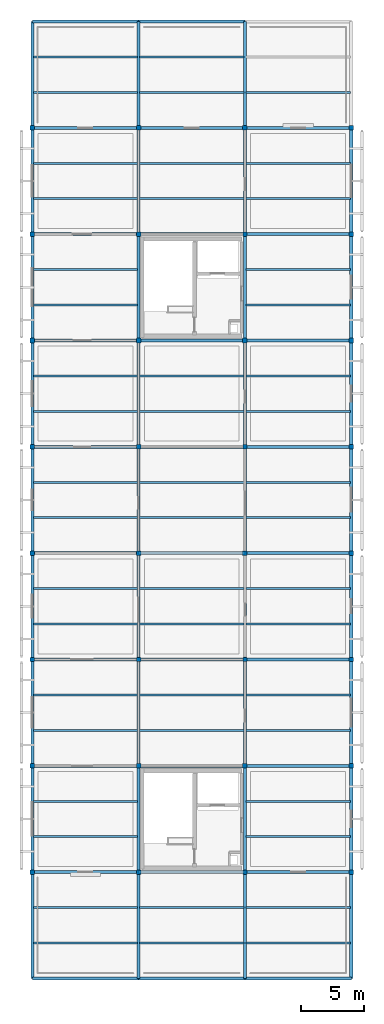
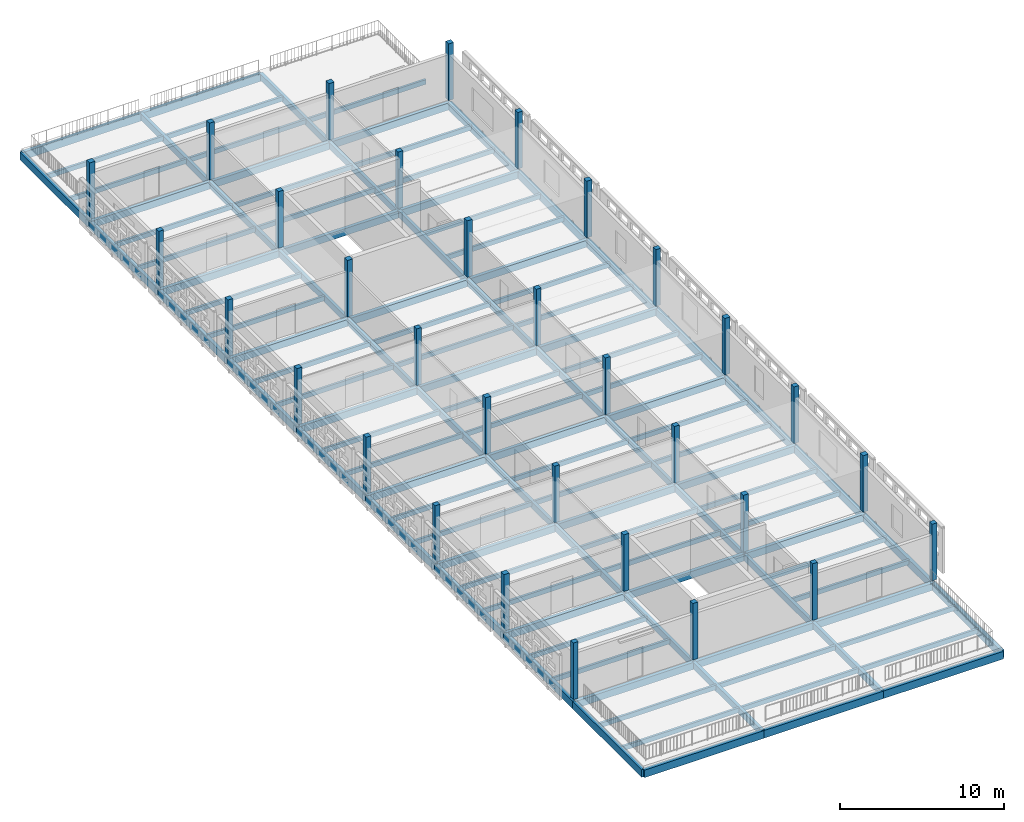
# One storey, part 1 of 13: 113 beams, 32 columns.
"""IFC4 building model written with IfcOpenShell, lengths in metres."""

from ifc_helpers import new_model, si_unit, direction, frame, origin, origin_2d, place, context, subcontext, project, spatial, rectangle, extrude, material, material_profile, profile_set, type_object, element, save


model = new_model("IFC4")

# Units and contexts
model_context = context("Model", 3, precision=1e-05, world=origin(), true_north=direction((0.0, 1.0)))
body_context = subcontext(model_context, "Body", "Model", "MODEL_VIEW")
ifc_project = project(units=[si_unit("LENGTHUNIT", "METRE"), si_unit("AREAUNIT", "SQUARE_METRE"), si_unit("VOLUMEUNIT", "CUBIC_METRE"), si_unit("PLANEANGLEUNIT", "RADIAN"), si_unit("MASSUNIT", "GRAM", prefix="KILO")], contexts=[model_context])

# Site, building, storey
site_placement = place(None, origin())
site = spatial("IfcSite", under=ifc_project, at=site_placement, CompositionType="ELEMENT")
building_placement = place(site_placement, origin())
building = spatial("IfcBuilding", under=site, at=building_placement, Name="Varnapada Polytechnic", CompositionType="ELEMENT")
storey_placement = place(building_placement, frame((0.0, 0.0, 26.39990234375)))
storey = spatial("IfcBuildingStorey", under=building, at=storey_placement, Name="L06", CompositionType="ELEMENT", Elevation=26.39990234375)

# Columns
ifc_material = material(Name="Glulam GL32h", Category="wood")
ifc_material_profile_1 = material_profile(ifc_material, rectangle(XDim=0.360107421875, YDim=0.360107421875, at=origin_2d()), Name="GL 360x360")
ifc_profile_set_1 = profile_set([ifc_material_profile_1], Name="Glulam GL32h")
column_type_1 = type_object("IfcColumnType", Name="Column C-14 (GL 360x360)", PredefinedType="COLUMN", material=ifc_profile_set_1)
for number, where, z_axis, x_axis, name in (
    (1, (0.0, 67.199951171875, 0.0), (0.0, 0.0, 1.0), (1.0, 0.0, 0.0), "L06 column 1/9"),
    (2, (0.0, 84.0, 0.0), (0.0, 0.0, 1.0), (1.0, 0.0, 0.0), "L06 column 1/11"),
    (3, (0.0, 100.800048828125, 0.0), (0.0, 0.0, 1.0), (1.0, 0.0, 0.0), "L06 column 1/13"),
    (4, (0.0, 117.60009765625, 0.0), (0.0, 0.0, 1.0), (1.0, 0.0, 0.0), "L06 column 1/15"),
    (5, (8.39990234375, 67.199951171875, 0.0), (0.0, 0.0, 1.0), (1.0, 0.0, 0.0), "L06 column 2/9"),
    (6, (8.39990234375, 84.0, 0.0), (0.0, 0.0, 1.0), (1.0, 0.0, 0.0), "L06 column 2/11"),
    (7, (8.39990234375, 100.800048828125, 0.0), (0.0, 0.0, 1.0), (1.0, 0.0, 0.0), "L06 column 2/13"),
    (8, (8.39990234375, 117.60009765625, 0.0), (0.0, 0.0, 1.0), (1.0, 0.0, 0.0), "L06 column 2/15"),
    (9, (16.800048828125, 67.199951171875, 0.0), (0.0, 0.0, 1.0), (1.0, 0.0, 0.0), "L06 column 3/9"),
    (10, (16.800048828125, 84.0, 0.0), (0.0, 0.0, 1.0), (1.0, 0.0, 0.0), "L06 column 3/11"),
    (11, (16.800048828125, 100.800048828125, 0.0), (0.0, 0.0, 1.0), (1.0, 0.0, 0.0), "L06 column 3/13"),
    (12, (16.800048828125, 117.60009765625, 0.0), (0.0, 0.0, 1.0), (1.0, 0.0, 0.0), "L06 column 3/15"),
    (13, (25.199951171875, 67.199951171875, 0.0), (0.0, 0.0, 1.0), (1.0, 0.0, 0.0), "L06 column 4/9"),
    (14, (25.199951171875, 84.0, 0.0), (0.0, 0.0, 1.0), (1.0, 0.0, 0.0), "L06 column 4/11"),
    (15, (25.199951171875, 100.800048828125, 0.0), (0.0, 0.0, 1.0), (1.0, 0.0, 0.0), "L06 column 4/13"),
    (16, (25.199951171875, 117.60009765625, 0.0), (0.0, 0.0, 1.0), (1.0, 0.0, 0.0), "L06 column 4/15"),
):
    element("IfcColumn", number, at=place(storey_placement, frame(where, z_axis=z_axis, x_axis=x_axis)), inside=storey, type_object=column_type_1, Name=name, PredefinedType="COLUMN", context=body_context, shape_type="SweptSolid", body=[
        extrude(rectangle(XDim=0.360107421875, YDim=0.360107421875, at=origin_2d()), origin(), (0.0, 0.0, 1.0), 4.2001953125),
    ])
ifc_material_profile_2 = material_profile(ifc_material, rectangle(XDim=0.340087890625, YDim=0.340087890625, at=origin_2d()), Name="GL 340x340")
ifc_profile_set_2 = profile_set([ifc_material_profile_2], Name="Glulam GL32h")
column_type_2 = type_object("IfcColumnType", Name="Column C-27 (GL 340x340)", PredefinedType="COLUMN", material=ifc_profile_set_2)
for number, where, z_axis, x_axis, name in (
    (17, (0.0, 58.800048828125, 0.0), (0.0, 0.0, 1.0), (1.0, 0.0, 0.0), "L06 column 1/8"),
    (18, (0.0, 75.60009765625, 0.0), (0.0, 0.0, 1.0), (1.0, 0.0, 0.0), "L06 column 1/10"),
    (19, (0.0, 92.39990234375, 0.0), (0.0, 0.0, 1.0), (1.0, 0.0, 0.0), "L06 column 1/12"),
    (20, (0.0, 109.199951171875, 0.0), (0.0, 0.0, 1.0), (1.0, 0.0, 0.0), "L06 column 1/14"),
    (21, (8.39990234375, 58.800048828125, 0.0), (0.0, 0.0, 1.0), (1.0, 0.0, 0.0), "L06 column 2/8"),
    (22, (8.39990234375, 75.60009765625, 0.0), (0.0, 0.0, 1.0), (1.0, 0.0, 0.0), "L06 column 2/10"),
    (23, (8.39990234375, 92.39990234375, 0.0), (0.0, 0.0, 1.0), (1.0, 0.0, 0.0), "L06 column 2/12"),
    (24, (8.39990234375, 109.199951171875, 0.0), (0.0, 0.0, 1.0), (1.0, 0.0, 0.0), "L06 column 2/14"),
    (25, (16.800048828125, 58.800048828125, 0.0), (0.0, 0.0, 1.0), (1.0, 0.0, 0.0), "L06 column 3/8"),
    (26, (16.800048828125, 75.60009765625, 0.0), (0.0, 0.0, 1.0), (1.0, 0.0, 0.0), "L06 column 3/10"),
    (27, (16.800048828125, 92.39990234375, 0.0), (0.0, 0.0, 1.0), (1.0, 0.0, 0.0), "L06 column 3/12"),
    (28, (16.800048828125, 109.199951171875, 0.0), (0.0, 0.0, 1.0), (1.0, 0.0, 0.0), "L06 column 3/14"),
    (29, (25.199951171875, 58.800048828125, 0.0), (0.0, 0.0, 1.0), (1.0, 0.0, 0.0), "L06 column 4/8"),
    (30, (25.199951171875, 75.60009765625, 0.0), (0.0, 0.0, 1.0), (1.0, 0.0, 0.0), "L06 column 4/10"),
    (31, (25.199951171875, 92.39990234375, 0.0), (0.0, 0.0, 1.0), (1.0, 0.0, 0.0), "L06 column 4/12"),
    (32, (25.199951171875, 109.199951171875, 0.0), (0.0, 0.0, 1.0), (1.0, 0.0, 0.0), "L06 column 4/14"),
):
    element("IfcColumn", number, at=place(storey_placement, frame(where, z_axis=z_axis, x_axis=x_axis)), inside=storey, type_object=column_type_2, Name=name, PredefinedType="COLUMN", context=body_context, shape_type="SweptSolid", body=[
        extrude(rectangle(XDim=0.340087890625, YDim=0.340087890625, at=origin_2d()), origin(), (0.0, 0.0, 1.0), 4.2001953125),
    ])

# Beams
ifc_material_profile_3 = material_profile(ifc_material, rectangle(XDim=0.239990234375, YDim=0.56005859375, at=origin_2d()), Name="GL 240x560")
ifc_profile_set_3 = profile_set([ifc_material_profile_3], Name="Glulam GL32h")
beam_type_1 = type_object("IfcBeamType", Name="Perimeter glulam spandrel beam SP-02 (GL 240x560)", PredefinedType="SPANDREL", material=ifc_profile_set_3)
for number, where, z_axis, x_axis, name in (
    (33, (0.0, 50.39990234375, -0.510009765625), (1.0, 0.0, 0.0), (0.0, 1.0, 0.0), "L06 beam X 1-2 at Y7"),
    (34, (0.0, 126.0, -0.510009765625), (1.0, 0.0, 0.0), (0.0, 1.0, 0.0), "L06 beam X 1-2 at Y16"),
):
    element("IfcBeam", number, at=place(storey_placement, frame(where, z_axis=z_axis, x_axis=x_axis)), inside=storey, type_object=beam_type_1, Name=name, PredefinedType="SPANDREL", context=body_context, shape_type="SweptSolid", body=[
        extrude(rectangle(XDim=0.239990234375, YDim=0.56005859375, at=origin_2d()), origin(), (0.0, 0.0, 1.0), 8.39990234375),
    ])
for number, where, z_axis, x_axis, name in (
    (35, (8.39990234375, 50.39990234375, -0.510009765625), (1.0, 0.0, 0.0), (0.0, 1.0, 0.0), "L06 beam X 2-3 at Y7"),
    (36, (8.39990234375, 126.0, -0.510009765625), (1.0, 0.0, 0.0), (0.0, 1.0, 0.0), "L06 beam X 2-3 at Y16"),
):
    element("IfcBeam", number, at=place(storey_placement, frame(where, z_axis=z_axis, x_axis=x_axis)), inside=storey, type_object=beam_type_1, Name=name, PredefinedType="SPANDREL", context=body_context, shape_type="SweptSolid", body=[
        extrude(rectangle(XDim=0.239990234375, YDim=0.56005859375, at=origin_2d()), origin(), (0.0, 0.0, 1.0), 8.400146484375),
    ])
beam_1_placement = place(storey_placement, frame((16.800048828125, 50.39990234375, -0.510009765625), z_axis=(1.0, 0.0, 0.0), x_axis=(0.0, 1.0, 0.0)))
element("IfcBeam", 37, at=beam_1_placement, inside=storey, type_object=beam_type_1, Name="L06 beam X 3-4 at Y7", PredefinedType="SPANDREL", context=body_context, shape_type="SweptSolid", body=[
    extrude(rectangle(XDim=0.239990234375, YDim=0.56005859375, at=origin_2d()), origin(), (0.0, 0.0, 1.0), 8.39990234375),
])
beam_2_placement = place(storey_placement, frame((0.0, 50.39990234375, -0.510009765625), z_axis=(0.0, 1.0, 0.0), x_axis=(-1.0, 0.0, 0.0)))
element("IfcBeam", 38, at=beam_2_placement, inside=storey, type_object=beam_type_1, Name="L06 beam Y 7-8 at X1", PredefinedType="SPANDREL", context=body_context, shape_type="SweptSolid", body=[
    extrude(rectangle(XDim=0.239990234375, YDim=0.56005859375, at=origin_2d()), origin(), (0.0, 0.0, 1.0), 8.400146484375),
])
beam_3_placement = place(storey_placement, frame((0.0, 58.800048828125, -0.510009765625), z_axis=(0.0, 1.0, 0.0), x_axis=(-1.0, 0.0, 0.0)))
element("IfcBeam", 39, at=beam_3_placement, inside=storey, type_object=beam_type_1, Name="L06 beam Y 8-9 at X1", PredefinedType="SPANDREL", context=body_context, shape_type="SweptSolid", body=[
    extrude(rectangle(XDim=0.239990234375, YDim=0.56005859375, at=origin_2d()), origin(), (0.0, 0.0, 1.0), 8.39990234375),
])
beam_4_placement = place(storey_placement, frame((0.0, 67.199951171875, -0.5), z_axis=(0.0, 1.0, 0.0), x_axis=(-1.0, 0.0, 0.0)))
element("IfcBeam", 40, at=beam_4_placement, inside=storey, type_object=beam_type_1, Name="L06 beam Y 9-10 at X1", PredefinedType="SPANDREL", context=body_context, shape_type="SweptSolid", body=[
    extrude(rectangle(XDim=0.239990234375, YDim=0.56005859375, at=origin_2d()), origin(), (0.0, 0.0, 1.0), 8.400146484375),
])
for number, where, z_axis, x_axis, name in (
    (41, (0.0, 75.60009765625, -0.5), (0.0, 1.0, 0.0), (-1.0, 0.0, 0.0), "L06 beam Y 10-11 at X1"),
    (42, (0.0, 84.0, -0.5), (0.0, 1.0, 0.0), (-1.0, 0.0, 0.0), "L06 beam Y 11-12 at X1"),
):
    element("IfcBeam", number, at=place(storey_placement, frame(where, z_axis=z_axis, x_axis=x_axis)), inside=storey, type_object=beam_type_1, Name=name, PredefinedType="SPANDREL", context=body_context, shape_type="SweptSolid", body=[
        extrude(rectangle(XDim=0.239990234375, YDim=0.56005859375, at=origin_2d()), origin(), (0.0, 0.0, 1.0), 8.39990234375),
    ])
beam_5_placement = place(storey_placement, frame((0.0, 92.39990234375, -0.5), z_axis=(0.0, 1.0, 0.0), x_axis=(-1.0, 0.0, 0.0)))
element("IfcBeam", 43, at=beam_5_placement, inside=storey, type_object=beam_type_1, Name="L06 beam Y 12-13 at X1", PredefinedType="SPANDREL", context=body_context, shape_type="SweptSolid", body=[
    extrude(rectangle(XDim=0.239990234375, YDim=0.56005859375, at=origin_2d()), origin(), (0.0, 0.0, 1.0), 8.400146484375),
])
beam_6_placement = place(storey_placement, frame((0.0, 100.800048828125, -0.5), z_axis=(0.0, 1.0, 0.0), x_axis=(-1.0, 0.0, 0.0)))
element("IfcBeam", 44, at=beam_6_placement, inside=storey, type_object=beam_type_1, Name="L06 beam Y 13-14 at X1", PredefinedType="SPANDREL", context=body_context, shape_type="SweptSolid", body=[
    extrude(rectangle(XDim=0.239990234375, YDim=0.56005859375, at=origin_2d()), origin(), (0.0, 0.0, 1.0), 8.39990234375),
])
beam_7_placement = place(storey_placement, frame((0.0, 109.199951171875, -0.510009765625), z_axis=(0.0, 1.0, 0.0), x_axis=(-1.0, 0.0, 0.0)))
element("IfcBeam", 45, at=beam_7_placement, inside=storey, type_object=beam_type_1, Name="L06 beam Y 14-15 at X1", PredefinedType="SPANDREL", context=body_context, shape_type="SweptSolid", body=[
    extrude(rectangle(XDim=0.239990234375, YDim=0.56005859375, at=origin_2d()), origin(), (0.0, 0.0, 1.0), 8.400146484375),
])
beam_8_placement = place(storey_placement, frame((0.0, 117.60009765625, -0.510009765625), z_axis=(0.0, 1.0, 0.0), x_axis=(-1.0, 0.0, 0.0)))
element("IfcBeam", 46, at=beam_8_placement, inside=storey, type_object=beam_type_1, Name="L06 beam Y 15-16 at X1", PredefinedType="SPANDREL", context=body_context, shape_type="SweptSolid", body=[
    extrude(rectangle(XDim=0.239990234375, YDim=0.56005859375, at=origin_2d()), origin(), (0.0, 0.0, 1.0), 8.39990234375),
])
beam_9_placement = place(storey_placement, frame((25.199951171875, 50.39990234375, -0.510009765625), z_axis=(0.0, 1.0, 0.0), x_axis=(-1.0, 0.0, 0.0)))
element("IfcBeam", 47, at=beam_9_placement, inside=storey, type_object=beam_type_1, Name="L06 beam Y 7-8 at X4", PredefinedType="SPANDREL", context=body_context, shape_type="SweptSolid", body=[
    extrude(rectangle(XDim=0.239990234375, YDim=0.56005859375, at=origin_2d()), origin(), (0.0, 0.0, 1.0), 8.400146484375),
])
beam_10_placement = place(storey_placement, frame((25.199951171875, 58.800048828125, -0.510009765625), z_axis=(0.0, 1.0, 0.0), x_axis=(-1.0, 0.0, 0.0)))
element("IfcBeam", 48, at=beam_10_placement, inside=storey, type_object=beam_type_1, Name="L06 beam Y 8-9 at X4", PredefinedType="SPANDREL", context=body_context, shape_type="SweptSolid", body=[
    extrude(rectangle(XDim=0.239990234375, YDim=0.56005859375, at=origin_2d()), origin(), (0.0, 0.0, 1.0), 8.39990234375),
])
beam_11_placement = place(storey_placement, frame((25.199951171875, 67.199951171875, -0.5), z_axis=(0.0, 1.0, 0.0), x_axis=(-1.0, 0.0, 0.0)))
element("IfcBeam", 49, at=beam_11_placement, inside=storey, type_object=beam_type_1, Name="L06 beam Y 9-10 at X4", PredefinedType="SPANDREL", context=body_context, shape_type="SweptSolid", body=[
    extrude(rectangle(XDim=0.239990234375, YDim=0.56005859375, at=origin_2d()), origin(), (0.0, 0.0, 1.0), 8.400146484375),
])
for number, where, z_axis, x_axis, name in (
    (50, (25.199951171875, 75.60009765625, -0.5), (0.0, 1.0, 0.0), (-1.0, 0.0, 0.0), "L06 beam Y 10-11 at X4"),
    (51, (25.199951171875, 84.0, -0.5), (0.0, 1.0, 0.0), (-1.0, 0.0, 0.0), "L06 beam Y 11-12 at X4"),
):
    element("IfcBeam", number, at=place(storey_placement, frame(where, z_axis=z_axis, x_axis=x_axis)), inside=storey, type_object=beam_type_1, Name=name, PredefinedType="SPANDREL", context=body_context, shape_type="SweptSolid", body=[
        extrude(rectangle(XDim=0.239990234375, YDim=0.56005859375, at=origin_2d()), origin(), (0.0, 0.0, 1.0), 8.39990234375),
    ])
beam_12_placement = place(storey_placement, frame((25.199951171875, 92.39990234375, -0.5), z_axis=(0.0, 1.0, 0.0), x_axis=(-1.0, 0.0, 0.0)))
element("IfcBeam", 52, at=beam_12_placement, inside=storey, type_object=beam_type_1, Name="L06 beam Y 12-13 at X4", PredefinedType="SPANDREL", context=body_context, shape_type="SweptSolid", body=[
    extrude(rectangle(XDim=0.239990234375, YDim=0.56005859375, at=origin_2d()), origin(), (0.0, 0.0, 1.0), 8.400146484375),
])
beam_13_placement = place(storey_placement, frame((25.199951171875, 100.800048828125, -0.5), z_axis=(0.0, 1.0, 0.0), x_axis=(-1.0, 0.0, 0.0)))
element("IfcBeam", 53, at=beam_13_placement, inside=storey, type_object=beam_type_1, Name="L06 beam Y 13-14 at X4", PredefinedType="SPANDREL", context=body_context, shape_type="SweptSolid", body=[
    extrude(rectangle(XDim=0.239990234375, YDim=0.56005859375, at=origin_2d()), origin(), (0.0, 0.0, 1.0), 8.39990234375),
])
beam_14_placement = place(storey_placement, frame((25.199951171875, 109.199951171875, -0.510009765625), z_axis=(0.0, 1.0, 0.0), x_axis=(-1.0, 0.0, 0.0)))
element("IfcBeam", 54, at=beam_14_placement, inside=storey, type_object=beam_type_1, Name="L06 beam Y 14-15 at X4", PredefinedType="SPANDREL", context=body_context, shape_type="SweptSolid", body=[
    extrude(rectangle(XDim=0.239990234375, YDim=0.56005859375, at=origin_2d()), origin(), (0.0, 0.0, 1.0), 8.400146484375),
])
ifc_material_profile_4 = material_profile(ifc_material, rectangle(XDim=0.239990234375, YDim=0.52001953125, at=origin_2d()), Name="GL 240x520")
ifc_profile_set_4 = profile_set([ifc_material_profile_4], Name="Glulam GL32h")
beam_type_2 = type_object("IfcBeamType", Name="Top studio glulam girder GG-06 (GL 240x520)", PredefinedType="BEAM", material=ifc_profile_set_4)
for number, where, z_axis, x_axis, name in (
    (55, (0.0, 58.800048828125, -0.489990234375), (1.0, 0.0, 0.0), (0.0, 1.0, 0.0), "L06 beam X 1-2 at Y8"),
    (56, (0.0, 67.199951171875, -0.47998046875), (1.0, 0.0, 0.0), (0.0, 1.0, 0.0), "L06 beam X 1-2 at Y9"),
    (57, (0.0, 75.60009765625, -0.47998046875), (1.0, 0.0, 0.0), (0.0, 1.0, 0.0), "L06 beam X 1-2 at Y10"),
    (58, (0.0, 84.0, -0.47998046875), (1.0, 0.0, 0.0), (0.0, 1.0, 0.0), "L06 beam X 1-2 at Y11"),
    (59, (0.0, 92.39990234375, -0.47998046875), (1.0, 0.0, 0.0), (0.0, 1.0, 0.0), "L06 beam X 1-2 at Y12"),
    (60, (0.0, 100.800048828125, -0.47998046875), (1.0, 0.0, 0.0), (0.0, 1.0, 0.0), "L06 beam X 1-2 at Y13"),
    (61, (0.0, 109.199951171875, -0.47998046875), (1.0, 0.0, 0.0), (0.0, 1.0, 0.0), "L06 beam X 1-2 at Y14"),
    (62, (0.0, 117.60009765625, -0.489990234375), (1.0, 0.0, 0.0), (0.0, 1.0, 0.0), "L06 beam X 1-2 at Y15"),
):
    element("IfcBeam", number, at=place(storey_placement, frame(where, z_axis=z_axis, x_axis=x_axis)), inside=storey, type_object=beam_type_2, Name=name, PredefinedType="BEAM", context=body_context, shape_type="SweptSolid", body=[
        extrude(rectangle(XDim=0.239990234375, YDim=0.52001953125, at=origin_2d()), origin(), (0.0, 0.0, 1.0), 8.39990234375),
    ])
for number, where, z_axis, x_axis, name in (
    (63, (8.39990234375, 58.800048828125, -0.489990234375), (1.0, 0.0, 0.0), (0.0, 1.0, 0.0), "L06 beam X 2-3 at Y8"),
    (64, (8.39990234375, 67.199951171875, -0.47998046875), (1.0, 0.0, 0.0), (0.0, 1.0, 0.0), "L06 beam X 2-3 at Y9"),
    (65, (8.39990234375, 75.60009765625, -0.47998046875), (1.0, 0.0, 0.0), (0.0, 1.0, 0.0), "L06 beam X 2-3 at Y10"),
    (66, (8.39990234375, 84.0, -0.47998046875), (1.0, 0.0, 0.0), (0.0, 1.0, 0.0), "L06 beam X 2-3 at Y11"),
    (67, (8.39990234375, 92.39990234375, -0.47998046875), (1.0, 0.0, 0.0), (0.0, 1.0, 0.0), "L06 beam X 2-3 at Y12"),
    (68, (8.39990234375, 100.800048828125, -0.47998046875), (1.0, 0.0, 0.0), (0.0, 1.0, 0.0), "L06 beam X 2-3 at Y13"),
    (69, (8.39990234375, 109.199951171875, -0.47998046875), (1.0, 0.0, 0.0), (0.0, 1.0, 0.0), "L06 beam X 2-3 at Y14"),
    (70, (8.39990234375, 117.60009765625, -0.489990234375), (1.0, 0.0, 0.0), (0.0, 1.0, 0.0), "L06 beam X 2-3 at Y15"),
):
    element("IfcBeam", number, at=place(storey_placement, frame(where, z_axis=z_axis, x_axis=x_axis)), inside=storey, type_object=beam_type_2, Name=name, PredefinedType="BEAM", context=body_context, shape_type="SweptSolid", body=[
        extrude(rectangle(XDim=0.239990234375, YDim=0.52001953125, at=origin_2d()), origin(), (0.0, 0.0, 1.0), 8.400146484375),
    ])
for number, where, z_axis, x_axis, name in (
    (71, (16.800048828125, 58.800048828125, -0.489990234375), (1.0, 0.0, 0.0), (0.0, 1.0, 0.0), "L06 beam X 3-4 at Y8"),
    (72, (16.800048828125, 67.199951171875, -0.47998046875), (1.0, 0.0, 0.0), (0.0, 1.0, 0.0), "L06 beam X 3-4 at Y9"),
    (73, (16.800048828125, 75.60009765625, -0.47998046875), (1.0, 0.0, 0.0), (0.0, 1.0, 0.0), "L06 beam X 3-4 at Y10"),
    (74, (16.800048828125, 84.0, -0.47998046875), (1.0, 0.0, 0.0), (0.0, 1.0, 0.0), "L06 beam X 3-4 at Y11"),
    (75, (16.800048828125, 92.39990234375, -0.47998046875), (1.0, 0.0, 0.0), (0.0, 1.0, 0.0), "L06 beam X 3-4 at Y12"),
    (76, (16.800048828125, 100.800048828125, -0.47998046875), (1.0, 0.0, 0.0), (0.0, 1.0, 0.0), "L06 beam X 3-4 at Y13"),
    (77, (16.800048828125, 109.199951171875, -0.47998046875), (1.0, 0.0, 0.0), (0.0, 1.0, 0.0), "L06 beam X 3-4 at Y14"),
    (78, (16.800048828125, 117.60009765625, -0.489990234375), (1.0, 0.0, 0.0), (0.0, 1.0, 0.0), "L06 beam X 3-4 at Y15"),
):
    element("IfcBeam", number, at=place(storey_placement, frame(where, z_axis=z_axis, x_axis=x_axis)), inside=storey, type_object=beam_type_2, Name=name, PredefinedType="BEAM", context=body_context, shape_type="SweptSolid", body=[
        extrude(rectangle(XDim=0.239990234375, YDim=0.52001953125, at=origin_2d()), origin(), (0.0, 0.0, 1.0), 8.39990234375),
    ])
ifc_material_profile_5 = material_profile(ifc_material, rectangle(XDim=0.159912109375, YDim=0.340087890625, at=origin_2d()), Name="GL 160x340")
ifc_profile_set_5 = profile_set([ifc_material_profile_5], Name="Glulam GL32h")
beam_type_3 = type_object("IfcBeamType", Name="Top studio light glulam joist GJ-05 (GL 160x340)", PredefinedType="JOIST", material=ifc_profile_set_5)
for number, where, z_axis, x_axis, name in (
    (79, (0.080078125, 53.199951171875, -0.39990234375), (1.0, 0.0, 0.0), (0.0, 1.0, 0.0), "L06 floor joist 1/7.1"),
    (80, (0.080078125, 56.0, -0.39990234375), (1.0, 0.0, 0.0), (0.0, 1.0, 0.0), "L06 floor joist 1/7.2"),
    (81, (0.080078125, 61.60009765625, -0.389892578125), (1.0, 0.0, 0.0), (0.0, 1.0, 0.0), "L06 floor joist 1/8.1"),
    (82, (0.080078125, 64.39990234375, -0.389892578125), (1.0, 0.0, 0.0), (0.0, 1.0, 0.0), "L06 floor joist 1/8.2"),
    (83, (0.080078125, 70.0, -0.389892578125), (1.0, 0.0, 0.0), (0.0, 1.0, 0.0), "L06 floor joist 1/9.1"),
    (84, (0.080078125, 72.800048828125, -0.389892578125), (1.0, 0.0, 0.0), (0.0, 1.0, 0.0), "L06 floor joist 1/9.2"),
    (85, (0.080078125, 78.39990234375, -0.389892578125), (1.0, 0.0, 0.0), (0.0, 1.0, 0.0), "L06 floor joist 1/10.1"),
    (86, (0.080078125, 81.199951171875, -0.389892578125), (1.0, 0.0, 0.0), (0.0, 1.0, 0.0), "L06 floor joist 1/10.2"),
    (87, (0.080078125, 86.800048828125, -0.389892578125), (1.0, 0.0, 0.0), (0.0, 1.0, 0.0), "L06 floor joist 1/11.1"),
    (88, (0.080078125, 89.60009765625, -0.389892578125), (1.0, 0.0, 0.0), (0.0, 1.0, 0.0), "L06 floor joist 1/11.2"),
    (89, (0.080078125, 95.199951171875, -0.389892578125), (1.0, 0.0, 0.0), (0.0, 1.0, 0.0), "L06 floor joist 1/12.1"),
    (90, (0.080078125, 98.0, -0.389892578125), (1.0, 0.0, 0.0), (0.0, 1.0, 0.0), "L06 floor joist 1/12.2"),
    (91, (0.080078125, 103.60009765625, -0.389892578125), (1.0, 0.0, 0.0), (0.0, 1.0, 0.0), "L06 floor joist 1/13.1"),
    (92, (0.080078125, 106.39990234375, -0.389892578125), (1.0, 0.0, 0.0), (0.0, 1.0, 0.0), "L06 floor joist 1/13.2"),
    (93, (0.080078125, 112.0, -0.389892578125), (1.0, 0.0, 0.0), (0.0, 1.0, 0.0), "L06 floor joist 1/14.1"),
    (94, (0.080078125, 114.800048828125, -0.389892578125), (1.0, 0.0, 0.0), (0.0, 1.0, 0.0), "L06 floor joist 1/14.2"),
    (95, (0.080078125, 120.39990234375, -0.39990234375), (1.0, 0.0, 0.0), (0.0, 1.0, 0.0), "L06 floor joist 1/15.1"),
    (96, (0.080078125, 123.199951171875, -0.39990234375), (1.0, 0.0, 0.0), (0.0, 1.0, 0.0), "L06 floor joist 1/15.2"),
    (97, (8.47998046875, 53.199951171875, -0.39990234375), (1.0, 0.0, 0.0), (0.0, 1.0, 0.0), "L06 floor joist 2/7.1"),
    (98, (8.47998046875, 56.0, -0.39990234375), (1.0, 0.0, 0.0), (0.0, 1.0, 0.0), "L06 floor joist 2/7.2"),
    (99, (8.47998046875, 70.0, -0.389892578125), (1.0, 0.0, 0.0), (0.0, 1.0, 0.0), "L06 floor joist 2/9.1"),
    (100, (8.47998046875, 72.800048828125, -0.389892578125), (1.0, 0.0, 0.0), (0.0, 1.0, 0.0), "L06 floor joist 2/9.2"),
    (101, (8.47998046875, 78.39990234375, -0.389892578125), (1.0, 0.0, 0.0), (0.0, 1.0, 0.0), "L06 floor joist 2/10.1"),
    (102, (8.47998046875, 81.199951171875, -0.389892578125), (1.0, 0.0, 0.0), (0.0, 1.0, 0.0), "L06 floor joist 2/10.2"),
    (103, (8.47998046875, 86.800048828125, -0.389892578125), (1.0, 0.0, 0.0), (0.0, 1.0, 0.0), "L06 floor joist 2/11.1"),
    (104, (8.47998046875, 89.60009765625, -0.389892578125), (1.0, 0.0, 0.0), (0.0, 1.0, 0.0), "L06 floor joist 2/11.2"),
    (105, (8.47998046875, 95.199951171875, -0.389892578125), (1.0, 0.0, 0.0), (0.0, 1.0, 0.0), "L06 floor joist 2/12.1"),
    (106, (8.47998046875, 98.0, -0.389892578125), (1.0, 0.0, 0.0), (0.0, 1.0, 0.0), "L06 floor joist 2/12.2"),
    (107, (8.47998046875, 112.0, -0.389892578125), (1.0, 0.0, 0.0), (0.0, 1.0, 0.0), "L06 floor joist 2/14.1"),
    (108, (8.47998046875, 114.800048828125, -0.389892578125), (1.0, 0.0, 0.0), (0.0, 1.0, 0.0), "L06 floor joist 2/14.2"),
    (109, (8.47998046875, 120.39990234375, -0.39990234375), (1.0, 0.0, 0.0), (0.0, 1.0, 0.0), "L06 floor joist 2/15.1"),
    (110, (8.47998046875, 123.199951171875, -0.39990234375), (1.0, 0.0, 0.0), (0.0, 1.0, 0.0), "L06 floor joist 2/15.2"),
):
    element("IfcBeam", number, at=place(storey_placement, frame(where, z_axis=z_axis, x_axis=x_axis)), inside=storey, type_object=beam_type_3, Name=name, PredefinedType="JOIST", context=body_context, shape_type="SweptSolid", body=[
        extrude(rectangle(XDim=0.159912109375, YDim=0.340087890625, at=origin_2d()), origin(), (0.0, 0.0, 1.0), 8.239990234375),
    ])
for number, where, z_axis, x_axis, name in (
    (111, (16.8798828125, 53.199951171875, -0.39990234375), (1.0, 0.0, 0.0), (0.0, 1.0, 0.0), "L06 floor joist 3/7.1"),
    (112, (16.8798828125, 56.0, -0.39990234375), (1.0, 0.0, 0.0), (0.0, 1.0, 0.0), "L06 floor joist 3/7.2"),
    (113, (16.8798828125, 61.60009765625, -0.389892578125), (1.0, 0.0, 0.0), (0.0, 1.0, 0.0), "L06 floor joist 3/8.1"),
    (114, (16.8798828125, 64.39990234375, -0.389892578125), (1.0, 0.0, 0.0), (0.0, 1.0, 0.0), "L06 floor joist 3/8.2"),
    (115, (16.8798828125, 70.0, -0.389892578125), (1.0, 0.0, 0.0), (0.0, 1.0, 0.0), "L06 floor joist 3/9.1"),
    (116, (16.8798828125, 72.800048828125, -0.389892578125), (1.0, 0.0, 0.0), (0.0, 1.0, 0.0), "L06 floor joist 3/9.2"),
    (117, (16.8798828125, 78.39990234375, -0.389892578125), (1.0, 0.0, 0.0), (0.0, 1.0, 0.0), "L06 floor joist 3/10.1"),
    (118, (16.8798828125, 81.199951171875, -0.389892578125), (1.0, 0.0, 0.0), (0.0, 1.0, 0.0), "L06 floor joist 3/10.2"),
    (119, (16.8798828125, 86.800048828125, -0.389892578125), (1.0, 0.0, 0.0), (0.0, 1.0, 0.0), "L06 floor joist 3/11.1"),
    (120, (16.8798828125, 89.60009765625, -0.389892578125), (1.0, 0.0, 0.0), (0.0, 1.0, 0.0), "L06 floor joist 3/11.2"),
    (121, (16.8798828125, 95.199951171875, -0.389892578125), (1.0, 0.0, 0.0), (0.0, 1.0, 0.0), "L06 floor joist 3/12.1"),
    (122, (16.8798828125, 98.0, -0.389892578125), (1.0, 0.0, 0.0), (0.0, 1.0, 0.0), "L06 floor joist 3/12.2"),
    (123, (16.8798828125, 103.60009765625, -0.389892578125), (1.0, 0.0, 0.0), (0.0, 1.0, 0.0), "L06 floor joist 3/13.1"),
    (124, (16.8798828125, 106.39990234375, -0.389892578125), (1.0, 0.0, 0.0), (0.0, 1.0, 0.0), "L06 floor joist 3/13.2"),
    (125, (16.8798828125, 112.0, -0.389892578125), (1.0, 0.0, 0.0), (0.0, 1.0, 0.0), "L06 floor joist 3/14.1"),
    (126, (16.8798828125, 114.800048828125, -0.389892578125), (1.0, 0.0, 0.0), (0.0, 1.0, 0.0), "L06 floor joist 3/14.2"),
    (127, (16.8798828125, 120.39990234375, -0.39990234375), (1.0, 0.0, 0.0), (0.0, 1.0, 0.0), "L06 floor joist 3/15.1"),
):
    element("IfcBeam", number, at=place(storey_placement, frame(where, z_axis=z_axis, x_axis=x_axis)), inside=storey, type_object=beam_type_3, Name=name, PredefinedType="JOIST", context=body_context, shape_type="SweptSolid", body=[
        extrude(rectangle(XDim=0.159912109375, YDim=0.340087890625, at=origin_2d()), origin(), (0.0, 0.0, 1.0), 8.240234375),
    ])
ifc_material_profile_6 = material_profile(ifc_material, rectangle(XDim=0.219970703125, YDim=0.47998046875, at=origin_2d()), Name="GL 220x480")
ifc_profile_set_6 = profile_set([ifc_material_profile_6], Name="Glulam GL32h")
beam_type_4 = type_object("IfcBeamType", Name="Upper floor glulam tie beam GB-11 (GL 220x480)", PredefinedType="BEAM", material=ifc_profile_set_6)
beam_15_placement = place(storey_placement, frame((8.39990234375, 50.39990234375, -0.469970703125), z_axis=(0.0, 1.0, 0.0), x_axis=(-1.0, 0.0, 0.0)))
element("IfcBeam", 128, at=beam_15_placement, inside=storey, type_object=beam_type_4, Name="L06 beam Y 7-8 at X2", PredefinedType="BEAM", context=body_context, shape_type="SweptSolid", body=[
    extrude(rectangle(XDim=0.219970703125, YDim=0.47998046875, at=origin_2d()), origin(), (0.0, 0.0, 1.0), 8.400146484375),
])
beam_16_placement = place(storey_placement, frame((8.39990234375, 58.800048828125, -0.469970703125), z_axis=(0.0, 1.0, 0.0), x_axis=(-1.0, 0.0, 0.0)))
element("IfcBeam", 129, at=beam_16_placement, inside=storey, type_object=beam_type_4, Name="L06 beam Y 8-9 at X2", PredefinedType="BEAM", context=body_context, shape_type="SweptSolid", body=[
    extrude(rectangle(XDim=0.219970703125, YDim=0.47998046875, at=origin_2d()), origin(), (0.0, 0.0, 1.0), 8.39990234375),
])
beam_17_placement = place(storey_placement, frame((8.39990234375, 67.199951171875, -0.4599609375), z_axis=(0.0, 1.0, 0.0), x_axis=(-1.0, 0.0, 0.0)))
element("IfcBeam", 130, at=beam_17_placement, inside=storey, type_object=beam_type_4, Name="L06 beam Y 9-10 at X2", PredefinedType="BEAM", context=body_context, shape_type="SweptSolid", body=[
    extrude(rectangle(XDim=0.219970703125, YDim=0.47998046875, at=origin_2d()), origin(), (0.0, 0.0, 1.0), 8.400146484375),
])
for number, where, z_axis, x_axis, name in (
    (131, (8.39990234375, 75.60009765625, -0.4599609375), (0.0, 1.0, 0.0), (-1.0, 0.0, 0.0), "L06 beam Y 10-11 at X2"),
    (132, (8.39990234375, 84.0, -0.4599609375), (0.0, 1.0, 0.0), (-1.0, 0.0, 0.0), "L06 beam Y 11-12 at X2"),
):
    element("IfcBeam", number, at=place(storey_placement, frame(where, z_axis=z_axis, x_axis=x_axis)), inside=storey, type_object=beam_type_4, Name=name, PredefinedType="BEAM", context=body_context, shape_type="SweptSolid", body=[
        extrude(rectangle(XDim=0.219970703125, YDim=0.47998046875, at=origin_2d()), origin(), (0.0, 0.0, 1.0), 8.39990234375),
    ])
beam_18_placement = place(storey_placement, frame((8.39990234375, 92.39990234375, -0.4599609375), z_axis=(0.0, 1.0, 0.0), x_axis=(-1.0, 0.0, 0.0)))
element("IfcBeam", 133, at=beam_18_placement, inside=storey, type_object=beam_type_4, Name="L06 beam Y 12-13 at X2", PredefinedType="BEAM", context=body_context, shape_type="SweptSolid", body=[
    extrude(rectangle(XDim=0.219970703125, YDim=0.47998046875, at=origin_2d()), origin(), (0.0, 0.0, 1.0), 8.400146484375),
])
beam_19_placement = place(storey_placement, frame((8.39990234375, 100.800048828125, -0.4599609375), z_axis=(0.0, 1.0, 0.0), x_axis=(-1.0, 0.0, 0.0)))
element("IfcBeam", 134, at=beam_19_placement, inside=storey, type_object=beam_type_4, Name="L06 beam Y 13-14 at X2", PredefinedType="BEAM", context=body_context, shape_type="SweptSolid", body=[
    extrude(rectangle(XDim=0.219970703125, YDim=0.47998046875, at=origin_2d()), origin(), (0.0, 0.0, 1.0), 8.39990234375),
])
beam_20_placement = place(storey_placement, frame((8.39990234375, 109.199951171875, -0.469970703125), z_axis=(0.0, 1.0, 0.0), x_axis=(-1.0, 0.0, 0.0)))
element("IfcBeam", 135, at=beam_20_placement, inside=storey, type_object=beam_type_4, Name="L06 beam Y 14-15 at X2", PredefinedType="BEAM", context=body_context, shape_type="SweptSolid", body=[
    extrude(rectangle(XDim=0.219970703125, YDim=0.47998046875, at=origin_2d()), origin(), (0.0, 0.0, 1.0), 8.400146484375),
])
beam_21_placement = place(storey_placement, frame((8.39990234375, 117.60009765625, -0.469970703125), z_axis=(0.0, 1.0, 0.0), x_axis=(-1.0, 0.0, 0.0)))
element("IfcBeam", 136, at=beam_21_placement, inside=storey, type_object=beam_type_4, Name="L06 beam Y 15-16 at X2", PredefinedType="BEAM", context=body_context, shape_type="SweptSolid", body=[
    extrude(rectangle(XDim=0.219970703125, YDim=0.47998046875, at=origin_2d()), origin(), (0.0, 0.0, 1.0), 8.39990234375),
])
beam_22_placement = place(storey_placement, frame((16.800048828125, 50.39990234375, -0.469970703125), z_axis=(0.0, 1.0, 0.0), x_axis=(-1.0, 0.0, 0.0)))
element("IfcBeam", 137, at=beam_22_placement, inside=storey, type_object=beam_type_4, Name="L06 beam Y 7-8 at X3", PredefinedType="BEAM", context=body_context, shape_type="SweptSolid", body=[
    extrude(rectangle(XDim=0.219970703125, YDim=0.47998046875, at=origin_2d()), origin(), (0.0, 0.0, 1.0), 8.400146484375),
])
beam_23_placement = place(storey_placement, frame((16.800048828125, 58.800048828125, -0.469970703125), z_axis=(0.0, 1.0, 0.0), x_axis=(-1.0, 0.0, 0.0)))
element("IfcBeam", 138, at=beam_23_placement, inside=storey, type_object=beam_type_4, Name="L06 beam Y 8-9 at X3", PredefinedType="BEAM", context=body_context, shape_type="SweptSolid", body=[
    extrude(rectangle(XDim=0.219970703125, YDim=0.47998046875, at=origin_2d()), origin(), (0.0, 0.0, 1.0), 8.39990234375),
])
beam_24_placement = place(storey_placement, frame((16.800048828125, 67.199951171875, -0.4599609375), z_axis=(0.0, 1.0, 0.0), x_axis=(-1.0, 0.0, 0.0)))
element("IfcBeam", 139, at=beam_24_placement, inside=storey, type_object=beam_type_4, Name="L06 beam Y 9-10 at X3", PredefinedType="BEAM", context=body_context, shape_type="SweptSolid", body=[
    extrude(rectangle(XDim=0.219970703125, YDim=0.47998046875, at=origin_2d()), origin(), (0.0, 0.0, 1.0), 8.400146484375),
])
for number, where, z_axis, x_axis, name in (
    (140, (16.800048828125, 75.60009765625, -0.4599609375), (0.0, 1.0, 0.0), (-1.0, 0.0, 0.0), "L06 beam Y 10-11 at X3"),
    (141, (16.800048828125, 84.0, -0.4599609375), (0.0, 1.0, 0.0), (-1.0, 0.0, 0.0), "L06 beam Y 11-12 at X3"),
):
    element("IfcBeam", number, at=place(storey_placement, frame(where, z_axis=z_axis, x_axis=x_axis)), inside=storey, type_object=beam_type_4, Name=name, PredefinedType="BEAM", context=body_context, shape_type="SweptSolid", body=[
        extrude(rectangle(XDim=0.219970703125, YDim=0.47998046875, at=origin_2d()), origin(), (0.0, 0.0, 1.0), 8.39990234375),
    ])
beam_25_placement = place(storey_placement, frame((16.800048828125, 92.39990234375, -0.4599609375), z_axis=(0.0, 1.0, 0.0), x_axis=(-1.0, 0.0, 0.0)))
element("IfcBeam", 142, at=beam_25_placement, inside=storey, type_object=beam_type_4, Name="L06 beam Y 12-13 at X3", PredefinedType="BEAM", context=body_context, shape_type="SweptSolid", body=[
    extrude(rectangle(XDim=0.219970703125, YDim=0.47998046875, at=origin_2d()), origin(), (0.0, 0.0, 1.0), 8.400146484375),
])
beam_26_placement = place(storey_placement, frame((16.800048828125, 100.800048828125, -0.4599609375), z_axis=(0.0, 1.0, 0.0), x_axis=(-1.0, 0.0, 0.0)))
element("IfcBeam", 143, at=beam_26_placement, inside=storey, type_object=beam_type_4, Name="L06 beam Y 13-14 at X3", PredefinedType="BEAM", context=body_context, shape_type="SweptSolid", body=[
    extrude(rectangle(XDim=0.219970703125, YDim=0.47998046875, at=origin_2d()), origin(), (0.0, 0.0, 1.0), 8.39990234375),
])
beam_27_placement = place(storey_placement, frame((16.800048828125, 109.199951171875, -0.469970703125), z_axis=(0.0, 1.0, 0.0), x_axis=(-1.0, 0.0, 0.0)))
element("IfcBeam", 144, at=beam_27_placement, inside=storey, type_object=beam_type_4, Name="L06 beam Y 14-15 at X3", PredefinedType="BEAM", context=body_context, shape_type="SweptSolid", body=[
    extrude(rectangle(XDim=0.219970703125, YDim=0.47998046875, at=origin_2d()), origin(), (0.0, 0.0, 1.0), 8.400146484375),
])
beam_28_placement = place(storey_placement, frame((16.800048828125, 117.60009765625, -0.469970703125), z_axis=(0.0, 1.0, 0.0), x_axis=(-1.0, 0.0, 0.0)))
element("IfcBeam", 145, at=beam_28_placement, inside=storey, type_object=beam_type_4, Name="L06 beam Y 15-16 at X3", PredefinedType="BEAM", context=body_context, shape_type="SweptSolid", body=[
    extrude(rectangle(XDim=0.219970703125, YDim=0.47998046875, at=origin_2d()), origin(), (0.0, 0.0, 1.0), 8.39990234375),
])

save(model, "model.ifc")
